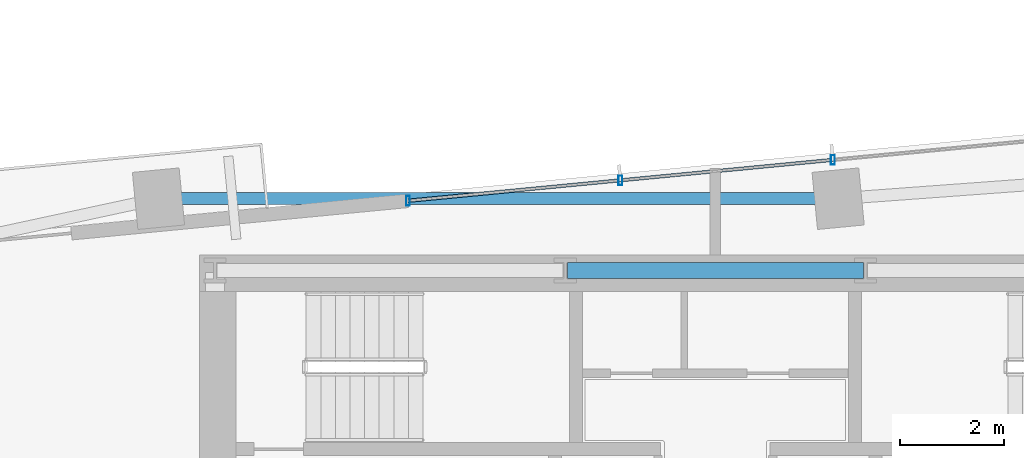
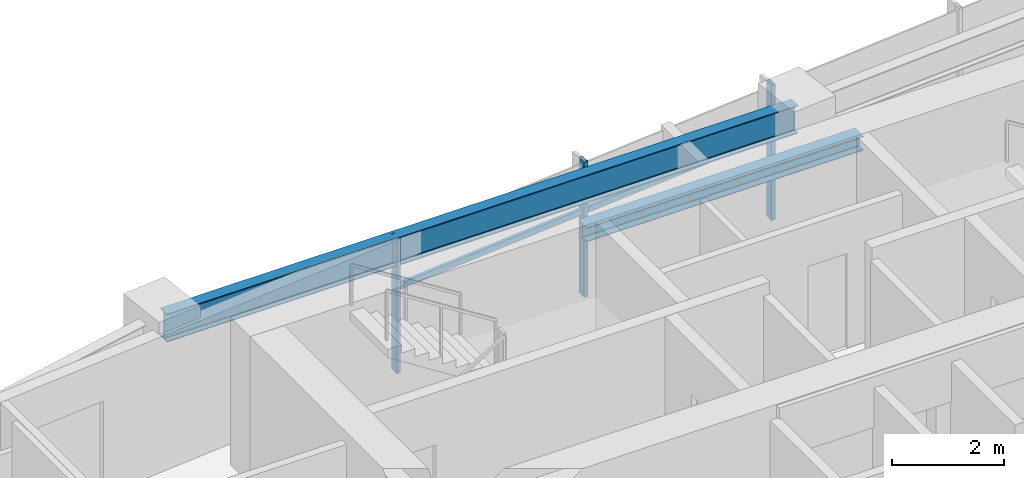
# One storey, part 10 of 27: 5 members, 2 beams, 1 element without a shape of its own.
"""IFC4 building model written with IfcOpenShell, lengths in metres."""

from ifc_helpers import new_model, si_unit, direction, frame, origin, origin_2d, place, context, subcontext, project, spatial, hollow_rectangle, i_section, extrude, source, transform, mapped, material, material_profile, profile_set, type_object, type_shapes, element, aggregate, save


model = new_model("IFC4")

# Units and contexts
model_context = context("Model", 3, precision=1e-05, world=origin(), true_north=direction((0.0, 1.0)))
body_context = subcontext(model_context, "Body", "Model", "MODEL_VIEW")
ifc_project = project(units=[si_unit("LENGTHUNIT", "METRE"), si_unit("AREAUNIT", "SQUARE_METRE"), si_unit("VOLUMEUNIT", "CUBIC_METRE"), si_unit("PLANEANGLEUNIT", "RADIAN"), si_unit("MASSUNIT", "GRAM", prefix="KILO")], contexts=[model_context])

# Site, building, storey
site_placement = place(None, origin())
site = spatial("IfcSite", under=ifc_project, at=site_placement, CompositionType="ELEMENT")
building_placement = place(site_placement, origin())
building = spatial("IfcBuilding", under=site, at=building_placement, Name="Astriad Promenade Condominiums", CompositionType="ELEMENT")
storey_placement = place(building_placement, frame((0.0, 0.0, 113.0)))
storey = spatial("IfcBuildingStorey", under=building, at=storey_placement, Name="L32", CompositionType="ELEMENT", Elevation=113.0)

# Beams
ifc_material_1 = material(Name="Steel ASTM A992 Grade 50", Category="steel")
ifc_material_profile_1 = material_profile(ifc_material_1, i_section(OverallWidth=0.3046875, OverallDepth=0.307861328125, WebThickness=0.010009765625, FlangeThickness=0.015380859375, FilletRadius=0.01513671875, at=origin_2d()), Name="W12X65")
ifc_profile_set_1 = profile_set([ifc_material_profile_1], Name="Steel ASTM A992 Grade 50")
beam_type_1 = type_object("IfcBeamType", Name="STEEL OPENING LINTEL W12X65", PredefinedType="LINTEL", material=ifc_profile_set_1)
shared_shape_1 = source(origin(), body_context, "Body", "SweptSolid", [
    extrude(i_section(OverallWidth=0.3046875, OverallDepth=0.307861328125, WebThickness=0.010009765625, FlangeThickness=0.015380859375, FilletRadius=0.01513671875, at=origin_2d()), origin(), (0.0, 0.0, 1.0), 5.68017578125),
])
type_shapes(beam_type_1, [shared_shape_1])
beam_1_placement = place(storey_placement, frame((33.159912109375, 24.0, 2.7861328125), z_axis=(1.0, 0.0, 0.0), x_axis=(0.0, 1.0, 0.0)))
element("IfcBeam", 1, at=beam_1_placement, inside=storey, type_object=beam_type_1, Name="Core Ring Beam CG-N2-L32", PredefinedType="LINTEL", context=body_context, shape_type="MappedRepresentation", body=[
    mapped(shared_shape_1, transform((0.0, 0.0, 0.0), scale=1.0)),
])
ifc_material_profile_2 = material_profile(ifc_material_1, i_section(OverallWidth=0.22900390625, OverallDepth=0.612060546875, WebThickness=0.011962890625, FlangeThickness=0.01953125, FilletRadius=0.017822265625, at=origin_2d()), Name="W24X84")
ifc_profile_set_2 = profile_set([ifc_material_profile_2], Name="Steel ASTM A992 Grade 50")
beam_type_2 = type_object("IfcBeamType", Name="STEEL SPANDREL BEAM W24X84", PredefinedType="SPANDREL", material=ifc_profile_set_2)
shared_shape_2 = source(origin(), body_context, "Body", "SweptSolid", [
    extrude(i_section(OverallWidth=0.22900390625, OverallDepth=0.612060546875, WebThickness=0.011962890625, FlangeThickness=0.01953125, FilletRadius=0.017822265625, at=origin_2d()), origin(), (0.0, 0.0, 1.0), 12.959716796875),
])
type_shapes(beam_type_2, [shared_shape_2])
beam_2_placement = place(storey_placement, frame((38.314697265625, 25.3798828125, 2.6337890625), z_axis=(-1.0, 0.0, 0.0), x_axis=(0.0, -1.0, 0.0)))
element("IfcBeam", 2, at=beam_2_placement, inside=storey, type_object=beam_type_2, Name="Perimeter Spandrel Beam SP-N2-L32", PredefinedType="SPANDREL", context=body_context, shape_type="MappedRepresentation", body=[
    mapped(shared_shape_2, transform((0.0, 0.0, 0.0), scale=1.0)),
])

# Curtain wall, members
ifc_material_2 = material(Name="Anodised aluminium Black Dark Glass Unitised", Category="aluminium")
curtain_wall_type = type_object("IfcCurtainWallType", Name="CW-B2-DARK", PredefinedType="USERDEFINED", material=ifc_material_2)
curtain_wall_placement = place(storey_placement, origin())
curtain_wall = element("IfcCurtainWall", 3, at=curtain_wall_placement, inside=storey, type_object=curtain_wall_type, Name="CW-L32-N", ObjectType="UNITISED_CURTAIN_WALL", PredefinedType="USERDEFINED")
ifc_material_3 = material(Name="Anodised aluminium 6063-T6 Black", Category="aluminium")
ifc_material_profile_3 = material_profile(ifc_material_3, hollow_rectangle(XDim=0.074951171875, YDim=0.18505859375, WallThickness=0.00439453125, at=origin_2d()), Name="ALU-MUL-75X185")
ifc_profile_set_3 = profile_set([ifc_material_profile_3], Name="Anodised aluminium 6063-T6 Black")
member_type_1 = type_object("IfcMemberType", Name="MUL-ALU-MUL-75X185", PredefinedType="MULLION", material=ifc_profile_set_3)
shared_shape_3 = source(origin(), body_context, "Body", "SweptSolid", [
    extrude(hollow_rectangle(XDim=0.074951171875, YDim=0.18505859375, WallThickness=0.00439453125, at=origin_2d()), origin(), (0.0, 0.0, 1.0), 2.93994140625),
])
type_shapes(member_type_1, [shared_shape_3])
member_1_placement = place(storey_placement, frame((30.101806640625, 25.339599609375, 0.0), z_axis=(0.0, 0.0, 1.0), x_axis=(1.0, 0.0, 0.0)))
member_1 = element("IfcMember", 4, at=member_1_placement, type_object=member_type_1, Name="CW-L32-N-MUL-00", PredefinedType="MULLION", context=body_context, shape_type="MappedRepresentation", body=[
    mapped(shared_shape_3, transform((0.0, 0.0, 0.0), scale=1.0)),
])
member_2_placement = place(storey_placement, frame((34.177734375, 25.732177734375, 0.0), z_axis=(0.0, 0.0, 1.0), x_axis=(1.0, 0.0, 0.0)))
member_2 = element("IfcMember", 5, at=member_2_placement, type_object=member_type_1, Name="CW-L32-N-MUL-01", PredefinedType="MULLION", context=body_context, shape_type="MappedRepresentation", body=[
    mapped(shared_shape_3, transform((0.0, 0.0, 0.0), scale=1.0)),
])
member_3_placement = place(storey_placement, frame((38.25390625, 26.12451171875, 0.0), z_axis=(0.0, 0.0, 1.0), x_axis=(1.0, 0.0, 0.0)))
member_3 = element("IfcMember", 6, at=member_3_placement, type_object=member_type_1, Name="CW-L32-N-MUL-02", PredefinedType="MULLION", context=body_context, shape_type="MappedRepresentation", body=[
    mapped(shared_shape_3, transform((0.0, 0.0, 0.0), scale=1.0)),
])
ifc_material_profile_4 = material_profile(ifc_material_3, hollow_rectangle(XDim=0.06494140625, YDim=0.1298828125, WallThickness=0.00390625, at=origin_2d()), Name="ALU-TRN-65X130")
ifc_profile_set_4 = profile_set([ifc_material_profile_4], Name="Anodised aluminium 6063-T6 Black")
member_type_2 = type_object("IfcMemberType", Name="TRN-ALU-TRN-65X130", PredefinedType="USERDEFINED", material=ifc_profile_set_4)
shared_shape_4 = source(origin(), body_context, "Body", "SweptSolid", [
    extrude(hollow_rectangle(XDim=0.06494140625, YDim=0.1298828125, WallThickness=0.00390625, at=origin_2d()), origin(), (0.0, 0.0, 1.0), 4.0947265625),
])
member_4_placement = place(storey_placement, frame((30.101806640625, 25.339599609375, 1.82275390625), z_axis=(0.995393613612, 0.095872592434, 0.0), x_axis=(-0.095872592434, 0.995393613612, 0.0)))
member_4 = element("IfcMember", 7, at=member_4_placement, type_object=member_type_2, Name="CW-L32-N-TRN-00-0", ObjectType="TRANSOM", PredefinedType="USERDEFINED", context=body_context, shape_type="MappedRepresentation", body=[
    mapped(shared_shape_4, transform((0.0, 0.0, 0.0), scale=1.0)),
])
shared_shape_5 = source(origin(), body_context, "Body", "SweptSolid", [
    extrude(hollow_rectangle(XDim=0.06494140625, YDim=0.1298828125, WallThickness=0.00390625, at=origin_2d()), origin(), (0.0, 0.0, 1.0), 4.094970703125),
])
type_shapes(member_type_2, [shared_shape_4, shared_shape_5])
member_5_placement = place(storey_placement, frame((34.177734375, 25.732177734375, 1.82275390625), z_axis=(0.995399849002, 0.095807831657, 0.0), x_axis=(-0.095807831657, 0.995399849002, 0.0)))
member_5 = element("IfcMember", 8, at=member_5_placement, type_object=member_type_2, Name="CW-L32-N-TRN-01-0", ObjectType="TRANSOM", PredefinedType="USERDEFINED", context=body_context, shape_type="MappedRepresentation", body=[
    mapped(shared_shape_5, transform((0.0, 0.0, 0.0), scale=1.0)),
])
aggregate(curtain_wall, [member_1, member_2, member_3, member_4, member_5])

save(model, "model.ifc")
